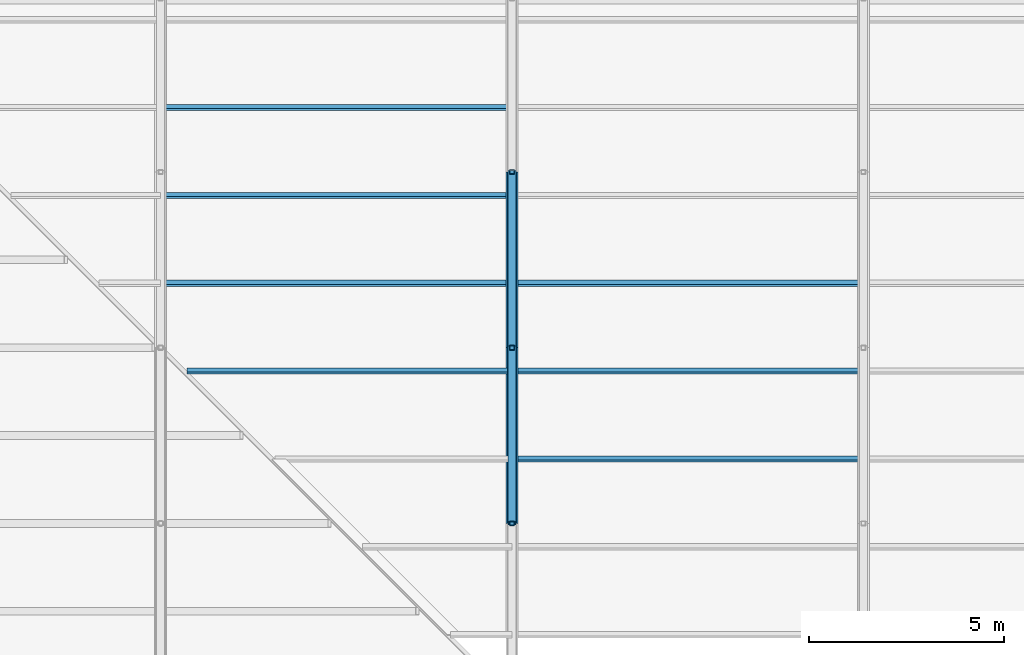
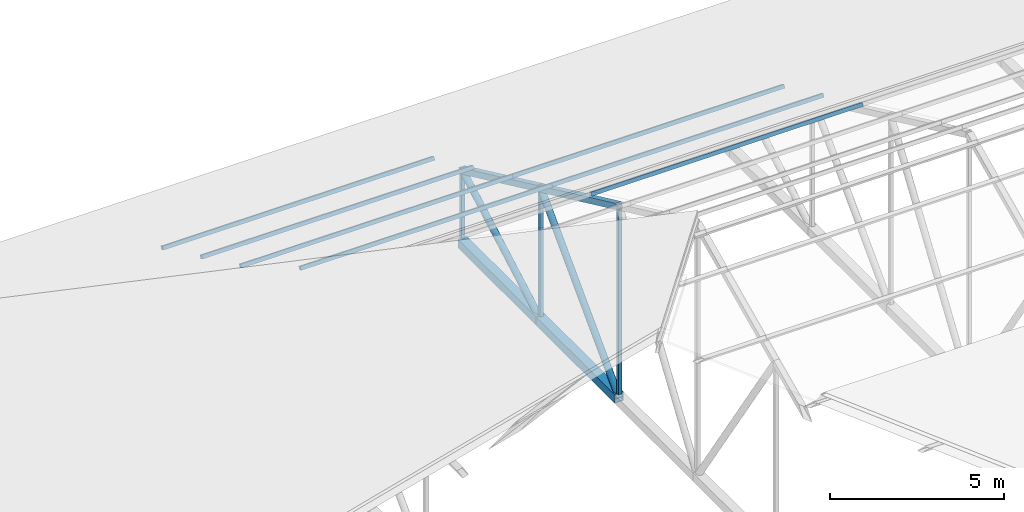
# One storey, part 70 of 154: 16 members.
"""IFC4 building model written with IfcOpenShell, lengths in metres."""

import ifcopenshell
import ifcopenshell.guid

model = None  # the IFC model being written
_history = None  # IfcOwnerHistory: only IFC2X3 demands one
_inside = {}  # id of a spatial element -> (the spatial element, [elements in it])
_under = {}  # id of a project, library or spatial element -> (it, [spatial elements below it])
_declared = {}  # id of a project -> (the project, [libraries it declares])
_typed = {}  # id of a type object -> (the type object, [elements of that type])
_made_of = {}  # id of a material, layer set ... -> (it, [elements and type objects made of it])


def new_model(schema):
    """Start an empty IFC model of exactly this schema.

    Asked for "IFC4X3", IfcOpenShell would pick the latest addendum, in which some entities
    have other attributes; the version numbers below select the first issue.
    IFC2X3 requires an IfcOwnerHistory on every rooted entity: one is made here for all.
    """
    global model, _history
    if schema == "IFC4X3":
        model = ifcopenshell.file(schema_version=(4, 3, 0, 0))
    else:
        model = ifcopenshell.file(schema=schema)
    _inside.clear()
    _under.clear()
    _declared.clear()
    _typed.clear()
    _made_of.clear()
    _history = None
    if model.schema == "IFC2X3":
        org = make("IfcOrganization", Name="unknown")
        user = make(
            "IfcPersonAndOrganization",
            ThePerson=make("IfcPerson", FamilyName="unknown"),
            TheOrganization=org,
        )
        app = make(
            "IfcApplication",
            ApplicationDeveloper=org,
            Version="unknown",
            ApplicationFullName="unknown",
            ApplicationIdentifier="unknown",
        )
        _history = make(
            "IfcOwnerHistory",
            OwningUser=user,
            OwningApplication=app,
            ChangeAction="ADDED",
            CreationDate=0,
        )
    return model


def make(cls, **values):
    """One entity of the class cls with the attributes given. An attribute that is None is left unset."""
    return model.create_entity(
        cls, **{name: value for name, value in values.items() if value is not None}
    )


def rooted(cls, **values):
    """An entity with a GlobalId (a new one), such as an element, a storey or a relation."""
    return make(cls, GlobalId=ifcopenshell.guid.new(), OwnerHistory=_history, **values)


def si_unit(unit_type, name, prefix=None):
    """IfcSIUnit, for example si_unit("LENGTHUNIT", "METRE", prefix="MILLI")."""
    return make("IfcSIUnit", UnitType=unit_type, Prefix=prefix, Name=name)


def assignment(units):
    """IfcUnitAssignment: the units of a project."""
    return None if units is None else make("IfcUnitAssignment", Units=units)


def point(xyz):
    """IfcCartesianPoint."""
    return None if xyz is None else make("IfcCartesianPoint", Coordinates=xyz)


def direction(xyz):
    """IfcDirection."""
    return None if xyz is None else make("IfcDirection", DirectionRatios=xyz)


def frame(location, z_axis=None, x_axis=None):
    """IfcAxis2Placement3D, a coordinate frame: its origin and axes. An axis left out is left unset."""
    return make(
        "IfcAxis2Placement3D",
        Location=point(location),
        Axis=direction(z_axis),
        RefDirection=direction(x_axis),
    )


def frame_2d(location, x_axis=None):
    """IfcAxis2Placement2D, a coordinate frame in the plane: its origin and x axis."""
    return make(
        "IfcAxis2Placement2D", Location=point(location), RefDirection=direction(x_axis)
    )


def origin():
    """The frame at (0, 0, 0) with its axes left unset."""
    return frame((0.0, 0.0, 0.0))


def origin_2d():
    """The frame at (0, 0) in the plane with its x axis left unset."""
    return frame_2d((0.0, 0.0))


def place(relative_to, where):
    """IfcLocalPlacement: puts the frame where relative to a parent placement (None: the world)."""
    return make(
        "IfcLocalPlacement", PlacementRelTo=relative_to, RelativePlacement=where
    )


def context(
    kind, dimensions, precision=None, world=None, true_north=None, identifier=None
):
    """IfcGeometricRepresentationContext, for example the 3D "Model" context."""
    return make(
        "IfcGeometricRepresentationContext",
        ContextIdentifier=identifier,
        ContextType=kind,
        CoordinateSpaceDimension=dimensions,
        Precision=precision,
        WorldCoordinateSystem=world,
        TrueNorth=true_north,
    )


def subcontext(parent, identifier, kind, view, scale=None):
    """IfcGeometricRepresentationSubContext, for example "Body" below "Model"."""
    return make(
        "IfcGeometricRepresentationSubContext",
        ContextIdentifier=identifier,
        ContextType=kind,
        ParentContext=parent,
        TargetScale=scale,
        TargetView=view,
    )


def project(units=None, contexts=None):
    """IfcProject with its units and contexts."""
    return rooted(
        "IfcProject",
        Name="project",
        RepresentationContexts=contexts,
        UnitsInContext=assignment(units),
    )


def spatial(cls, under=None, at=None, **own):
    """A site, building, storey or space (cls), placed at a placement, below another one or the project."""
    s = rooted(cls, ObjectPlacement=at, **own)
    if under is not None:
        _under.setdefault(under.id(), (under, []))[1].append(s)
    return s


def profile(cls, at=None, kind="AREA", **sizes):
    """A parametric profile (cls). Its sizes go by their IFC names, for example OverallWidth=200.0."""
    return make(cls, ProfileType=kind, Position=at, **sizes)


def hollow_rectangle(**sizes):
    """IfcRectangleHollowProfileDef."""
    return profile("IfcRectangleHollowProfileDef", **sizes)


def hollow_circle(**sizes):
    """IfcCircleHollowProfileDef."""
    return profile("IfcCircleHollowProfileDef", **sizes)


def extrude(swept, where, along, depth):
    """IfcExtrudedAreaSolid: the profile swept, set in the frame where, extruded along a direction by depth."""
    return make(
        "IfcExtrudedAreaSolid",
        SweptArea=swept,
        Position=where,
        ExtrudedDirection=direction(along),
        Depth=depth,
    )


def shape(context_of_items, identifier, shape_type, items):
    """IfcShapeRepresentation: the items that make up one representation, for example the "Body"."""
    return make(
        "IfcShapeRepresentation",
        ContextOfItems=context_of_items,
        RepresentationIdentifier=identifier,
        RepresentationType=shape_type,
        Items=items,
    )


def material(Name=None, Category=None):
    """IfcMaterial."""
    return make("IfcMaterial", Name=Name, Category=Category)


def material_profile(
    of_material, cross_section, Name=None, Category=None, Priority=None
):
    """IfcMaterialProfile: a cross section and its material."""
    return make(
        "IfcMaterialProfile",
        Name=Name,
        Material=of_material,
        Profile=cross_section,
        Priority=Priority,
        Category=Category,
    )


def profile_set(profiles, Name=None, composite=None):
    """IfcMaterialProfileSet."""
    return make(
        "IfcMaterialProfileSet",
        Name=Name,
        MaterialProfiles=profiles,
        CompositeProfile=composite,
    )


def made_of(thing, what):
    """Note that an element or type object is made of a material, layer set ...; save() writes the relation."""
    if what is not None:
        _made_of.setdefault(what.id(), (what, []))[1].append(thing)
    return thing


def type_object(cls, material=None, **own):
    """A type object (cls), such as IfcWallType, which elements share."""
    return made_of(rooted(cls, **own), material)


def element(
    cls,
    number,
    at=None,
    inside=None,
    cuts=None,
    type_object=None,
    material=None,
    context=None,
    identifier="Body",
    shape_type=None,
    held_by="IfcProductDefinitionShape",
    body=None,
    shapes=None,
    **own,
):
    """One element of the class cls, such as IfcWall. Its Tag is "e" and its number.

    at: its placement. inside: the storey or other place that contains it. cuts: it is an
    opening in that element (IfcRelVoidsElement). A single representation is given by context,
    identifier, shape_type and body (its items); several are given by shapes. held_by: the class
    of the entity that holds the representations. save() writes the other relations.
    """
    e = rooted(cls, Tag="e%d" % number, ObjectPlacement=at, **own)
    if body is not None:
        shapes = [shape(context, identifier, shape_type, body)]
    if shapes is not None:
        e.Representation = make(held_by, Representations=shapes)
    if inside is not None:
        _inside.setdefault(inside.id(), (inside, []))[1].append(e)
    if cuts is not None:
        rooted(
            "IfcRelVoidsElement", RelatingBuildingElement=cuts, RelatedOpeningElement=e
        )
    if type_object is not None:
        _typed.setdefault(type_object.id(), (type_object, []))[1].append(e)
    return made_of(e, material)


def aggregate(whole, parts):
    """IfcRelAggregates: a whole, such as a stair, and the parts it consists of."""
    return rooted("IfcRelAggregates", RelatingObject=whole, RelatedObjects=parts)


def save(model, path):
    """Write the relations noted so far, then the file.

    IfcRelAggregates (storeys below a building ...), IfcRelContainedInSpatialStructure (elements
    in a storey), IfcRelDefinesByType, IfcRelAssociatesMaterial and IfcRelDeclares: one each for
    every whole, place, type object, material and project.
    """
    for whole, parts in _under.values():
        aggregate(whole, parts)
    for where, things in _inside.values():
        rooted(
            "IfcRelContainedInSpatialStructure",
            RelatedElements=things,
            RelatingStructure=where,
        )
    for kind, things in _typed.values():
        rooted("IfcRelDefinesByType", RelatedObjects=things, RelatingType=kind)
    for what, things in _made_of.values():
        rooted("IfcRelAssociatesMaterial", RelatedObjects=things, RelatingMaterial=what)
    for by, libraries in _declared.values():
        rooted("IfcRelDeclares", RelatingContext=by, RelatedDefinitions=libraries)
    model.write(path)


model = new_model("IFC4")

# Units and contexts
model_context = context("Model", 3, precision=1e-05, world=origin(), true_north=direction((0.0, 1.0)))
body_context = subcontext(model_context, "Body", "Model", "MODEL_VIEW")
ifc_project = project(units=[si_unit("LENGTHUNIT", "METRE"), si_unit("AREAUNIT", "SQUARE_METRE"), si_unit("VOLUMEUNIT", "CUBIC_METRE"), si_unit("PLANEANGLEUNIT", "RADIAN"), si_unit("MASSUNIT", "GRAM", prefix="KILO")], contexts=[model_context])

# Site, building, storey
site_placement = place(None, origin())
site = spatial("IfcSite", under=ifc_project, at=site_placement, CompositionType="ELEMENT")
building_placement = place(site_placement, origin())
building = spatial("IfcBuilding", under=site, at=building_placement, Name="Golden Quay Civic Hall", CompositionType="ELEMENT")
storey_placement = place(building_placement, frame((0.0, 0.0, 14.39990234375)))
storey = spatial("IfcBuildingStorey", under=building, at=storey_placement, Name="L03", CompositionType="ELEMENT", Elevation=14.39990234375)

# Members
ifc_material_1 = material(Name="Steel S355", Category="steel")
ifc_material_profile_1 = material_profile(ifc_material_1, hollow_rectangle(XDim=0.1201171875, YDim=0.1201171875, WallThickness=0.008056640625, at=origin_2d()), Name="SHS 120x120x8")
ifc_profile_set_1 = profile_set([ifc_material_profile_1], Name="Steel S355")
member_type_1 = type_object("IfcMemberType", Name="Steel roof purlin SHS 120x120x8", PredefinedType="PURLIN", material=ifc_profile_set_1)
for number, where, z_axis, x_axis, name in (
    (1, (126.0, 96.14990234375, 1.83349609375), (1.0, 0.0, 0.0), (0.0, 0.906307787037, -0.422618261741), "Purlin north 3-2 L03"),
    (2, (126.0, 93.89990234375, 2.8828125), (1.0, 0.0, 0.0), (0.0, 0.906307787037, -0.422618261741), "Purlin north 4-2 L03"),
    (3, (126.0, 91.64990234375, 3.931884765625), (1.0, 0.0, 0.0), (0.0, 0.906307787037, -0.422618261741), "Purlin north 5-2 L03"),
    (4, (135.0, 91.64990234375, 3.931884765625), (1.0, 0.0, 0.0), (0.0, 0.906307787037, -0.422618261741), "Purlin north 5-3 L03"),
):
    element("IfcMember", number, at=place(storey_placement, frame(where, z_axis=z_axis, x_axis=x_axis)), inside=storey, type_object=member_type_1, Name=name, PredefinedType="PURLIN", context=body_context, shape_type="SweptSolid", body=[
        extrude(hollow_rectangle(XDim=0.1201171875, YDim=0.1201171875, WallThickness=0.008056640625, at=origin_2d()), origin(), (0.0, 0.0, 1.0), 9.0),
    ])
member_1_placement = place(storey_placement, frame((126.675048828125, 89.39990234375, 4.981201171875), z_axis=(1.0, 0.0, 0.0), x_axis=(0.0, 0.906307787037, -0.422618261741)))
element("IfcMember", 5, at=member_1_placement, inside=storey, type_object=member_type_1, Name="Purlin north 6-1 L03", PredefinedType="PURLIN", context=body_context, shape_type="SweptSolid", body=[
    extrude(hollow_rectangle(XDim=0.1201171875, YDim=0.1201171875, WallThickness=0.008056640625, at=origin_2d()), origin(), (0.0, 0.0, 1.0), 8.324951171875),
])
for number, where, z_axis, x_axis, name in (
    (6, (135.0, 89.39990234375, 4.981201171875), (1.0, 0.0, 0.0), (0.0, 0.906307787037, -0.422618261741), "Purlin north 6-2 L03"),
    (7, (135.0, 87.14990234375, 6.0302734375), (1.0, 0.0, 0.0), (0.0, 0.906307787037, -0.422618261741), "Purlin north 7-2 L03"),
):
    element("IfcMember", number, at=place(storey_placement, frame(where, z_axis=z_axis, x_axis=x_axis)), inside=storey, type_object=member_type_1, Name=name, PredefinedType="PURLIN", context=body_context, shape_type="SweptSolid", body=[
        extrude(hollow_rectangle(XDim=0.1201171875, YDim=0.1201171875, WallThickness=0.008056640625, at=origin_2d()), origin(), (0.0, 0.0, 1.0), 9.0),
    ])
ifc_material_2 = material(Name="Steel S355", Category="steel")
ifc_material_profile_2 = material_profile(ifc_material_2, hollow_rectangle(XDim=0.300048828125, YDim=0.300048828125, WallThickness=0.01611328125, at=origin_2d()), Name="SHS 300x300x16")
ifc_profile_set_2 = profile_set([ifc_material_profile_2], Name="Steel S355")
member_type_2 = type_object("IfcMemberType", Name="Steel truss bottom chord SHS 300x300x16", PredefinedType="USERDEFINED", material=ifc_profile_set_2)
for number, where, z_axis, x_axis, name in (
    (8, (135.0, 85.5, -0.099853515625), (0.0, 1.0, 0.0), (-1.0, 0.0, 0.0), "Truss 135 bottom chord 6 L03"),
    (9, (135.0, 90.0, -0.099853515625), (0.0, 1.0, 0.0), (-1.0, 0.0, 0.0), "Truss 135 bottom chord 7 L03"),
):
    element("IfcMember", number, at=place(storey_placement, frame(where, z_axis=z_axis, x_axis=x_axis)), inside=storey, type_object=member_type_2, Name=name, ObjectType="TRUSS BOTTOM CHORD", PredefinedType="USERDEFINED", context=body_context, shape_type="SweptSolid", body=[
        extrude(hollow_rectangle(XDim=0.300048828125, YDim=0.300048828125, WallThickness=0.01611328125, at=origin_2d()), origin(), (0.0, 0.0, 1.0), 4.5),
    ])
ifc_material_3 = material(Name="Steel S355", Category="steel")
ifc_material_profile_3 = material_profile(ifc_material_3, hollow_circle(Radius=0.109619140625, WallThickness=0.010009765625, at=origin_2d()), Name="CHS 219.1x10")
ifc_profile_set_3 = profile_set([ifc_material_profile_3], Name="Steel S355")
member_type_3 = type_object("IfcMemberType", Name="Steel truss diagonal CHS 219.1x10", PredefinedType="BRACE", material=ifc_profile_set_3)
member_2_placement = place(storey_placement, frame((135.0, 85.5, -0.099853515625), z_axis=(0.0, 0.697373869939, 0.716707531372), x_axis=(-1.0, 0.0, 0.0)))
element("IfcMember", 10, at=member_2_placement, inside=storey, type_object=member_type_3, Name="Truss 135 diagonal 6 L03", PredefinedType="BRACE", context=body_context, shape_type="SweptSolid", body=[
    extrude(hollow_circle(Radius=0.109619140625, WallThickness=0.010009765625, at=origin_2d()), origin(), (0.0, 0.0, 1.0), 6.452880859375),
])
member_3_placement = place(storey_placement, frame((135.0, 90.0, -0.099853515625), z_axis=(0.0, 0.871979533951, 0.489542329499), x_axis=(-1.0, 0.0, 0.0)))
element("IfcMember", 11, at=member_3_placement, inside=storey, type_object=member_type_3, Name="Truss 135 diagonal 7 L03", PredefinedType="BRACE", context=body_context, shape_type="SweptSolid", body=[
    extrude(hollow_circle(Radius=0.109619140625, WallThickness=0.010009765625, at=origin_2d()), origin(), (0.0, 0.0, 1.0), 5.16064453125),
])
ifc_material_4 = material(Name="Steel S355", Category="steel")
ifc_material_profile_4 = material_profile(ifc_material_4, hollow_rectangle(XDim=0.1201171875, YDim=0.1201171875, WallThickness=0.008056640625, at=origin_2d()), Name="SHS 120x120x8")
ifc_profile_set_4 = profile_set([ifc_material_profile_4], Name="Steel S355")
member_type_4 = type_object("IfcMemberType", Name="Steel truss post SHS 120x120x8", PredefinedType="USERDEFINED", material=ifc_profile_set_4)
member_4_placement = place(storey_placement, frame((135.0, 85.5, 0.050048828125), z_axis=(0.0, 0.0, 1.0), x_axis=(1.0, 0.0, 0.0)))
element("IfcMember", 12, at=member_4_placement, inside=storey, type_object=member_type_4, Name="Truss 135 post 6 L03", ObjectType="TRUSS POST", PredefinedType="USERDEFINED", context=body_context, shape_type="SweptSolid", body=[
    extrude(hollow_rectangle(XDim=0.1201171875, YDim=0.1201171875, WallThickness=0.008056640625, at=origin_2d()), origin(), (0.0, 0.0, 1.0), 6.462646484375),
])
member_5_placement = place(storey_placement, frame((135.0, 90.0, 0.050048828125), z_axis=(0.0, 0.0, 1.0), x_axis=(1.0, 0.0, 0.0)))
element("IfcMember", 13, at=member_5_placement, inside=storey, type_object=member_type_4, Name="Truss 135 post 7 L03", ObjectType="TRUSS POST", PredefinedType="USERDEFINED", context=body_context, shape_type="SweptSolid", body=[
    extrude(hollow_rectangle(XDim=0.1201171875, YDim=0.1201171875, WallThickness=0.008056640625, at=origin_2d()), origin(), (0.0, 0.0, 1.0), 4.364501953125),
])
member_6_placement = place(storey_placement, frame((135.0, 94.5, 0.050048828125), z_axis=(0.0, 0.0, 1.0), x_axis=(1.0, 0.0, 0.0)))
element("IfcMember", 14, at=member_6_placement, inside=storey, type_object=member_type_4, Name="Truss 135 post 8 L03", ObjectType="TRUSS POST", PredefinedType="USERDEFINED", context=body_context, shape_type="SweptSolid", body=[
    extrude(hollow_rectangle(XDim=0.1201171875, YDim=0.1201171875, WallThickness=0.008056640625, at=origin_2d()), origin(), (0.0, 0.0, 1.0), 2.26611328125),
])
ifc_material_5 = material(Name="Steel S355", Category="steel")
ifc_material_profile_5 = material_profile(ifc_material_5, hollow_rectangle(XDim=0.199951171875, YDim=0.199951171875, WallThickness=0.010009765625, at=origin_2d()), Name="SHS 200x200x10")
ifc_profile_set_5 = profile_set([ifc_material_profile_5], Name="Steel S355")
member_type_5 = type_object("IfcMemberType", Name="Steel truss top chord SHS 200x200x10", PredefinedType="USERDEFINED", material=ifc_profile_set_5)
for number, where, z_axis, x_axis, name in (
    (15, (135.0, 85.5, 6.623291015625), (0.0, 0.906307462258, -0.422618958231), (-1.0, 0.0, 0.0), "Truss 135 top chord 7 L03"),
    (16, (135.0, 90.0, 4.52490234375), (0.0, 0.906307462258, -0.422618958231), (-1.0, 0.0, 0.0), "Truss 135 top chord 8 L03"),
):
    element("IfcMember", number, at=place(storey_placement, frame(where, z_axis=z_axis, x_axis=x_axis)), inside=storey, type_object=member_type_5, Name=name, ObjectType="TRUSS TOP CHORD", PredefinedType="USERDEFINED", context=body_context, shape_type="SweptSolid", body=[
        extrude(hollow_rectangle(XDim=0.199951171875, YDim=0.199951171875, WallThickness=0.010009765625, at=origin_2d()), origin(), (0.0, 0.0, 1.0), 4.965087890625),
    ])

save(model, "model.ifc")
